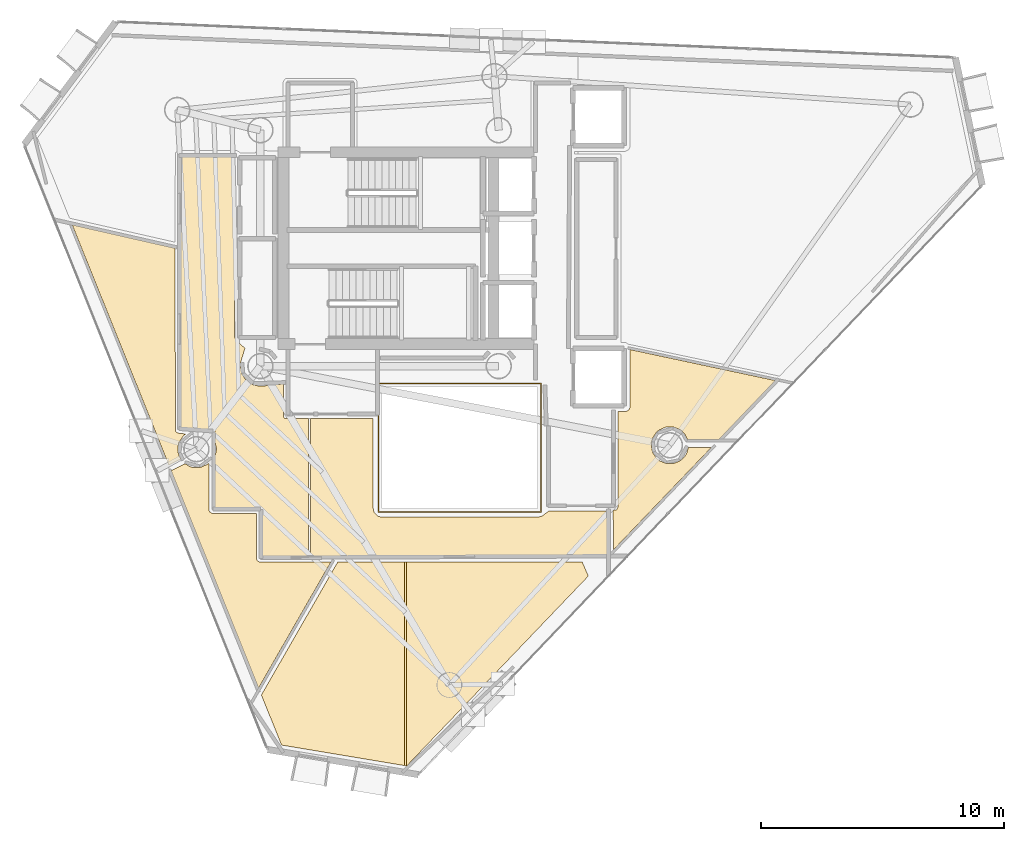
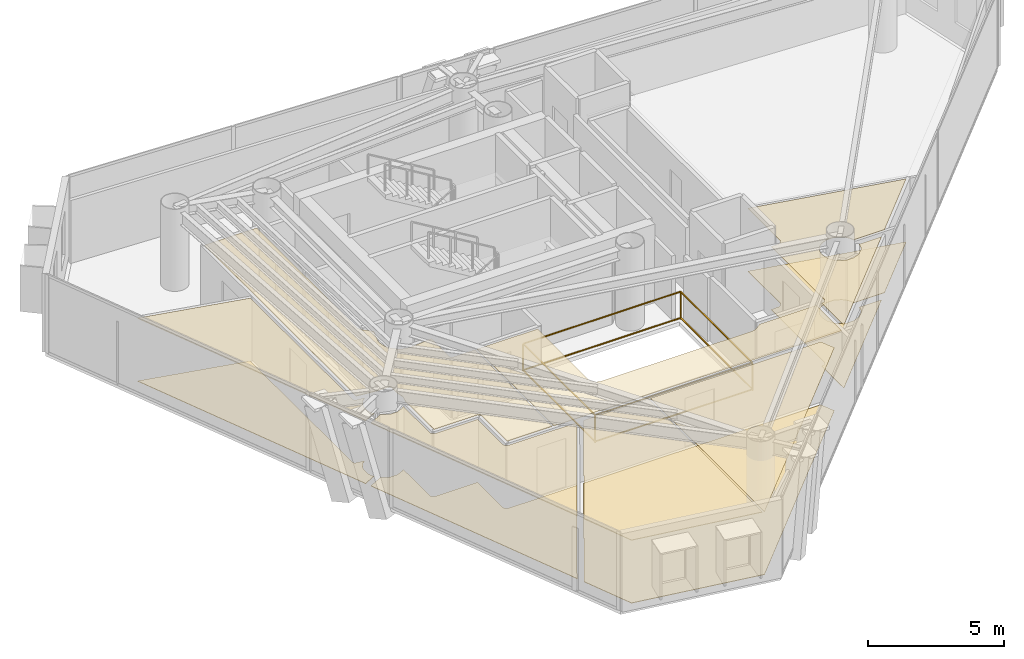
# One storey, part 18 of 21: 11 coverings, 1 railing.
"""IFC4 building model written with IfcOpenShell, lengths in metres."""

from ifc_helpers import new_model, si_unit, direction, frame, origin, origin_2d, place, context, subcontext, project, spatial, polyline, rectangle, outline, extrude, material, layer, layer_set, type_object, element, save


model = new_model("IFC4")

# Units and contexts
model_context = context("Model", 3, precision=1e-05, world=origin(), true_north=direction((0.0, 1.0)))
body_context = subcontext(model_context, "Body", "Model", "MODEL_VIEW")
ifc_project = project(units=[si_unit("LENGTHUNIT", "METRE"), si_unit("AREAUNIT", "SQUARE_METRE"), si_unit("VOLUMEUNIT", "CUBIC_METRE"), si_unit("PLANEANGLEUNIT", "RADIAN"), si_unit("MASSUNIT", "GRAM", prefix="KILO")], contexts=[model_context])

# Site, building, storey
site_placement = place(None, origin())
site = spatial("IfcSite", under=ifc_project, at=site_placement, CompositionType="ELEMENT")
building_placement = place(site_placement, origin())
building = spatial("IfcBuilding", under=site, at=building_placement, Name="Qianvela Tower", CompositionType="ELEMENT")
storey_placement = place(building_placement, frame((0.0, 0.0, 242.699951171875)))
storey = spatial("IfcBuildingStorey", under=building, at=storey_placement, Name="L62", CompositionType="ELEMENT", Elevation=242.699951171875)

# Coverings
ifc_material_1 = material(Name="Perforated Mineral Acoustic Ceiling Tile")
ifc_layer_1 = layer(ifc_material_1, 0.02490234375)
ifc_layer_set_1 = layer_set([ifc_layer_1], Name="Perforated Mineral Acoustic Ceiling Tile")
covering_type_1 = type_object("IfcCoveringType", Name="COV-CEIL-ACOUSTIC-25", PredefinedType="CEILING", material=ifc_layer_set_1)
covering_1_placement = place(storey_placement, frame((0.0, 0.0, 2.81494140625)))
element("IfcCovering", 1, at=covering_1_placement, inside=storey, type_object=covering_type_1, Name="L62 Acoustic Ceiling Bay 1 L62 Floor Corridor", PredefinedType="CEILING", context=body_context, shape_type="SweptSolid", body=[
    extrude(outline(polyline([(27.791015625, 24.010986328125), (27.789794921875, 24.003173828125), (27.775390625, 23.85791015625), (27.77490234375, 23.85009765625), (27.775390625, 23.84228515625), (27.776611328125, 23.83447265625), (27.833251953125, 23.54931640625), (27.835205078125, 23.541748046875), (27.837890625, 23.5341796875), (27.84130859375, 23.527099609375), (27.84521484375, 23.5205078125), (28.006591796875, 23.27880859375), (28.011474609375, 23.2724609375), (28.0166015625, 23.2666015625), (28.0224609375, 23.261474609375), (28.02880859375, 23.256591796875), (28.2705078125, 23.09521484375), (28.277099609375, 23.09130859375), (28.2841796875, 23.087890625), (28.291748046875, 23.085205078125), (28.29931640625, 23.083251953125), (28.58447265625, 23.026611328125), (28.59228515625, 23.025390625), (28.60009765625, 23.02490234375), (28.60791015625, 23.025390625), (29.55810546875, 23.118896484375), (29.55810546875, 21.780029296875), (29.558349609375, 21.772216796875), (29.5595703125, 21.764404296875), (29.561279296875, 21.7568359375), (29.564208984375, 21.74951171875), (29.5673828125, 21.7421875), (29.571533203125, 21.735595703125), (29.576171875, 21.729248046875), (29.581298828125, 21.723388671875), (29.587158203125, 21.71826171875), (29.593505859375, 21.71337890625), (29.600341796875, 21.70947265625), (29.607421875, 21.7060546875), (29.61474609375, 21.703369140625), (29.622314453125, 21.701416015625), (29.630126953125, 21.700439453125), (29.637939453125, 21.699951171875), (30.5888671875, 21.699951171875), (30.5888671875, 16.030029296875), (28.679931640625, 16.030029296875), (28.679931640625, 17.949951171875), (28.6796875, 17.957763671875), (28.678466796875, 17.965576171875), (28.676513671875, 17.97314453125), (28.673828125, 17.980712890625), (28.670654296875, 17.98779296875), (28.66650390625, 17.994384765625), (28.661865234375, 18.000732421875), (28.656494140625, 18.006591796875), (28.65087890625, 18.01171875), (28.644287109375, 18.0166015625), (28.6376953125, 18.0205078125), (28.630615234375, 18.02392578125), (28.623291015625, 18.026611328125), (28.615478515625, 18.028564453125), (28.60791015625, 18.029541015625), (28.60009765625, 18.030029296875), (26.72998046875, 18.030029296875), (26.72998046875, 20.123779296875), (26.795166015625, 20.419921875), (26.79638671875, 20.42822265625), (26.797119140625, 20.43701171875), (26.79638671875, 20.44580078125), (26.795166015625, 20.4541015625), (26.72998046875, 20.75), (26.72998046875, 21.14990234375), (26.7294921875, 21.15771484375), (26.728515625, 21.16552734375), (26.7265625, 21.173095703125), (26.723876953125, 21.1806640625), (26.720703125, 21.187744140625), (26.716552734375, 21.1943359375), (26.7119140625, 21.20068359375), (26.70654296875, 21.20654296875), (26.70068359375, 21.2119140625), (26.6943359375, 21.216552734375), (26.687744140625, 21.220703125), (26.6806640625, 21.223876953125), (26.673095703125, 21.2265625), (26.66552734375, 21.228515625), (26.65771484375, 21.2294921875), (26.64990234375, 21.22998046875), (26.18017578125, 21.22998046875), (25.330078125, 21.32470703125), (25.330078125, 32.469970703125), (27.5400390625, 32.469970703125), (27.5400390625, 25.066650390625), (27.540283203125, 25.05908203125), (27.54150390625, 25.051513671875), (27.543212890625, 25.044189453125), (27.545654296875, 25.037109375), (27.548583984375, 25.0302734375), (27.604736328125, 24.919921875), (27.6083984375, 24.91357421875), (27.612548828125, 24.90771484375), (27.6171875, 24.902099609375), (27.622314453125, 24.89697265625), (27.965087890625, 24.58642578125), (27.792724609375, 24.0185546875), (27.791015625, 24.010986328125)])), origin(), (0.0, 0.0, 1.0), 0.025146484375),
])
covering_2_placement = place(storey_placement, frame((0.0, 0.0, 2.81494140625)))
element("IfcCovering", 2, at=covering_2_placement, inside=storey, type_object=covering_type_1, Name="L62 Acoustic Ceiling Bay 2 L62 Floor Corridor", PredefinedType="CEILING", context=body_context, shape_type="SweptSolid", body=[
    extrude(outline(polyline([(33.239990234375, 21.699951171875), (33.239990234375, 18.0), (33.240478515625, 17.990234375), (33.242431640625, 17.980712890625), (33.275390625, 17.8486328125), (33.277587890625, 17.841796875), (33.2802734375, 17.8349609375), (33.283447265625, 17.82861328125), (33.287353515625, 17.822509765625), (33.29150390625, 17.81689453125), (33.29638671875, 17.811279296875), (33.411376953125, 17.696533203125), (33.41796875, 17.690673828125), (33.4248046875, 17.685791015625), (33.432373046875, 17.681396484375), (33.440185546875, 17.677978515625), (33.448486328125, 17.675537109375), (33.58056640625, 17.642333984375), (33.5869140625, 17.64111328125), (33.593505859375, 17.640380859375), (33.60009765625, 17.639892578125), (40.0, 17.639892578125), (40.006591796875, 17.640380859375), (40.012939453125, 17.64111328125), (40.019287109375, 17.642333984375), (40.1513671875, 17.675537109375), (40.15869140625, 17.677734375), (40.166015625, 17.6806640625), (40.172607421875, 17.68408203125), (40.17919921875, 17.6884765625), (40.459228515625, 17.89306640625), (42.8701171875, 17.89990234375), (42.8701171875, 16.043212890625), (42.857421875, 16.030029296875), (30.6689453125, 16.030029296875), (30.6689453125, 21.699951171875), (33.239990234375, 21.699951171875)])), origin(), (0.0, 0.0, 1.0), 0.025146484375),
])
covering_3_placement = place(storey_placement, frame((0.0, 0.0, 2.81494140625)))
element("IfcCovering", 3, at=covering_3_placement, inside=storey, type_object=covering_type_1, Name="L62 Acoustic Ceiling Tutorial Breakout Seminar L62-01", PredefinedType="CEILING", context=body_context, shape_type="SweptSolid", body=[
    extrude(outline(polyline([(25.202880859375, 21.103515625), (25.209716796875, 21.10009765625), (25.217041015625, 21.097412109375), (25.224609375, 21.09521484375), (25.232421875, 21.093994140625), (25.531494140625, 21.060791015625), (25.43701171875, 20.983154296875), (25.43115234375, 20.977783203125), (25.42578125, 20.97216796875), (25.421142578125, 20.9658203125), (25.272705078125, 20.74365234375), (25.2685546875, 20.73681640625), (25.26513671875, 20.729736328125), (25.2626953125, 20.722412109375), (25.2236328125, 20.593994140625), (25.2216796875, 20.586181640625), (25.220458984375, 20.57861328125), (25.22021484375, 20.570556640625), (25.22021484375, 20.303466796875), (25.220458984375, 20.29541015625), (25.2216796875, 20.287841796875), (25.2236328125, 20.280029296875), (25.2626953125, 20.151611328125), (25.264892578125, 20.14501953125), (25.267822265625, 20.138427734375), (25.271484375, 20.13232421875), (25.3349609375, 20.031005859375), (24.8388671875, 19.781982421875), (20.86474609375, 29.658203125), (25.090087890625, 28.697265625), (25.10791015625, 21.202392578125), (25.1083984375, 21.19482421875), (25.109375, 21.18701171875), (25.111328125, 21.1796875), (25.114013671875, 21.17236328125), (25.1171875, 21.165283203125), (25.12109375, 21.15869140625), (25.125732421875, 21.15234375), (25.130859375, 21.146484375), (25.13671875, 21.141357421875), (25.142822265625, 21.13671875), (25.1494140625, 21.132568359375), (25.202880859375, 21.103515625)])), origin(), (0.0, 0.0, 1.0), 0.025146484375),
])
covering_4_placement = place(storey_placement, frame((0.0, 0.0, 2.81494140625)))
element("IfcCovering", 4, at=covering_4_placement, inside=storey, type_object=covering_type_1, Name="L62 Acoustic Ceiling Project Huddle Conference L62-02", PredefinedType="CEILING", context=body_context, shape_type="SweptSolid", body=[
    extrude(outline(polyline([(26.49072265625, 19.877197265625), (26.49609375, 17.919189453125), (26.49658203125, 17.911376953125), (26.497802734375, 17.903564453125), (26.49951171875, 17.89599609375), (26.502197265625, 17.888671875), (26.505615234375, 17.881591796875), (26.509521484375, 17.875), (26.514404296875, 17.86865234375), (26.51953125, 17.86279296875), (26.525390625, 17.857421875), (26.531494140625, 17.852783203125), (26.605712890625, 17.803466796875), (26.6123046875, 17.79931640625), (26.619384765625, 17.796142578125), (26.626708984375, 17.79345703125), (26.634521484375, 17.79150390625), (26.64208984375, 17.790283203125), (26.64990234375, 17.7900390625), (28.43994140625, 17.7900390625), (28.43994140625, 15.949951171875), (28.4404296875, 15.942138671875), (28.44140625, 15.934326171875), (28.443359375, 15.9267578125), (28.446044921875, 15.91943359375), (28.469482421875, 15.86279296875), (28.472900390625, 15.855712890625), (28.476806640625, 15.84912109375), (28.481689453125, 15.8427734375), (28.48681640625, 15.8369140625), (28.49267578125, 15.83154296875), (28.4990234375, 15.826904296875), (28.505615234375, 15.822998046875), (28.5126953125, 15.819580078125), (28.5693359375, 15.796142578125), (28.576904296875, 15.79345703125), (28.58447265625, 15.79150390625), (28.59228515625, 15.790283203125), (28.60009765625, 15.7900390625), (31.495361328125, 15.7900390625), (28.52587890625, 10.61962890625), (24.930419921875, 19.5546875), (25.50390625, 19.8427734375), (25.666259765625, 19.737060546875), (25.672607421875, 19.7333984375), (25.679443359375, 19.72998046875), (25.6865234375, 19.7275390625), (25.815185546875, 19.688720703125), (25.82275390625, 19.686767578125), (25.83056640625, 19.685546875), (25.83837890625, 19.685302734375), (26.105712890625, 19.685302734375), (26.113525390625, 19.685546875), (26.12109375, 19.686767578125), (26.12890625, 19.688720703125), (26.13623046875, 19.69140625), (26.38330078125, 19.79345703125), (26.390380859375, 19.796875), (26.39697265625, 19.80078125), (26.4033203125, 19.8056640625), (26.49072265625, 19.877197265625)])), origin(), (0.0, 0.0, 1.0), 0.025146484375),
])
covering_5_placement = place(storey_placement, frame((0.0, 0.0, 2.81494140625)))
element("IfcCovering", 5, at=covering_5_placement, inside=storey, type_object=covering_type_1, Name="L62 Acoustic Ceiling Bay 1 Media Practice Cinema L62-03", PredefinedType="CEILING", context=body_context, shape_type="SweptSolid", body=[
    extrude(outline(polyline([(29.470458984375, 8.272216796875), (28.6416015625, 10.33154296875), (31.776611328125, 15.7900390625), (34.53369140625, 15.7900390625), (34.53369140625, 7.427978515625), (29.470458984375, 8.272216796875)])), origin(), (0.0, 0.0, 1.0), 0.025146484375),
])
covering_6_placement = place(storey_placement, frame((0.0, 0.0, 2.81494140625)))
element("IfcCovering", 6, at=covering_6_placement, inside=storey, type_object=covering_type_1, Name="L62 Acoustic Ceiling Bay 2 Media Practice Cinema L62-03", PredefinedType="CEILING", context=body_context, shape_type="SweptSolid", body=[
    extrude(outline(polyline([(34.6162109375, 7.414306640625), (34.61376953125, 7.414794921875), (34.61376953125, 15.7900390625), (41.834716796875, 15.7900390625), (42.083740234375, 15.220947265625), (34.6162109375, 7.414306640625)])), origin(), (0.0, 0.0, 1.0), 0.025146484375),
])
covering_7_placement = place(storey_placement, frame((0.0, 0.0, 2.81494140625)))
element("IfcCovering", 7, at=covering_7_placement, inside=storey, type_object=covering_type_1, Name="L62 Acoustic Ceiling Student Fitness Gym L62-04", PredefinedType="CEILING", context=body_context, shape_type="SweptSolid", body=[
    extrude(outline(polyline([(43.298583984375, 18.038818359375), (43.302001953125, 18.045166015625), (43.304931640625, 18.0517578125), (43.30712890625, 18.05859375), (43.30859375, 18.065673828125), (43.309814453125, 18.07275390625), (43.31005859375, 18.080078125), (43.309326171875, 21.981201171875), (43.621826171875, 21.986083984375), (43.62939453125, 21.986572265625), (43.63720703125, 21.98779296875), (43.64453125, 21.98974609375), (43.651611328125, 21.9921875), (43.658447265625, 21.99560546875), (43.6650390625, 21.99951171875), (43.732666015625, 22.044677734375), (43.739013671875, 22.04931640625), (43.744873046875, 22.0546875), (43.75, 22.060302734375), (43.754638671875, 22.066650390625), (43.7587890625, 22.073486328125), (43.76220703125, 22.08056640625), (43.793212890625, 22.15576171875), (43.7958984375, 22.1630859375), (43.7978515625, 22.170654296875), (43.798828125, 22.178466796875), (43.79931640625, 22.186279296875), (43.79638671875, 24.532958984375), (49.77197265625, 23.2587890625), (47.458251953125, 20.83984375), (46.153076171875, 20.836669921875), (46.0791015625, 21.010009765625), (46.07568359375, 21.016845703125), (46.072021484375, 21.023193359375), (46.0673828125, 21.029296875), (45.982177734375, 21.133056640625), (45.976806640625, 21.138916015625), (45.97119140625, 21.144287109375), (45.8671875, 21.2294921875), (45.861083984375, 21.234130859375), (45.854248046875, 21.238037109375), (45.84716796875, 21.241455078125), (45.600341796875, 21.34375), (45.593017578125, 21.346435546875), (45.585205078125, 21.348388671875), (45.577392578125, 21.349609375), (45.569580078125, 21.349853515625), (45.302490234375, 21.349853515625), (45.29443359375, 21.349609375), (45.286865234375, 21.348388671875), (45.279052734375, 21.346435546875), (45.271728515625, 21.34375), (45.02490234375, 21.241455078125), (45.017578125, 21.238037109375), (45.010986328125, 21.234130859375), (45.004638671875, 21.2294921875), (44.90087890625, 21.144287109375), (44.89501953125, 21.138916015625), (44.889892578125, 21.133056640625), (44.885009765625, 21.126708984375), (44.736572265625, 20.904541015625), (44.732666015625, 20.897705078125), (44.729248046875, 20.890869140625), (44.7265625, 20.88330078125), (44.6875, 20.7548828125), (44.685791015625, 20.747314453125), (44.6845703125, 20.739501953125), (44.67138671875, 20.605712890625), (44.6708984375, 20.597900390625), (44.67138671875, 20.590087890625), (44.672607421875, 20.58251953125), (44.724609375, 20.3203125), (44.7265625, 20.3125), (44.729248046875, 20.30517578125), (44.732666015625, 20.298095703125), (44.736572265625, 20.29150390625), (44.885009765625, 20.069091796875), (44.889892578125, 20.06298828125), (44.89501953125, 20.05712890625), (44.90087890625, 20.0517578125), (45.004638671875, 19.966552734375), (45.010986328125, 19.9619140625), (45.017578125, 19.9580078125), (45.02490234375, 19.95458984375), (45.271728515625, 19.852294921875), (45.279052734375, 19.849609375), (45.286865234375, 19.84765625), (45.29443359375, 19.846435546875), (45.302490234375, 19.84619140625), (45.569580078125, 19.84619140625), (45.577392578125, 19.846435546875), (45.585205078125, 19.84765625), (45.593017578125, 19.849609375), (45.600341796875, 19.852294921875), (45.84716796875, 19.95458984375), (45.854248046875, 19.9580078125), (45.861083984375, 19.9619140625), (45.8671875, 19.966552734375), (45.873046875, 19.971923828125), (46.06201171875, 20.160888671875), (46.0673828125, 20.166748046875), (46.072021484375, 20.173095703125), (46.076171875, 20.1796875), (46.139404296875, 20.298095703125), (46.142578125, 20.304931640625), (46.145263671875, 20.312255859375), (46.147216796875, 20.319580078125), (46.18408203125, 20.49658203125), (47.132080078125, 20.4990234375), (43.109619140625, 16.293701171875), (43.107421875, 17.924560546875), (43.1923828125, 17.9296875), (43.2001953125, 17.930419921875), (43.207763671875, 17.931884765625), (43.215087890625, 17.934326171875), (43.222412109375, 17.937255859375), (43.229248046875, 17.94091796875), (43.235595703125, 17.9453125), (43.24169921875, 17.9501953125), (43.2470703125, 17.955810546875), (43.251953125, 17.9619140625), (43.25634765625, 17.96826171875), (43.298583984375, 18.038818359375)])), origin(), (0.0, 0.0, 1.0), 0.025146484375),
])
ifc_material_2 = material(Name="Engineered Acoustic Oak Timber Flooring", Category="wood")
ifc_layer_2 = layer(ifc_material_2, 0.02001953125)
ifc_layer_set_2 = layer_set([ifc_layer_2], Name="Engineered Acoustic Oak Timber Flooring")
covering_type_2 = type_object("IfcCoveringType", Name="COV-FLOOR-OAK-20", PredefinedType="FLOORING", material=ifc_layer_set_2)
covering_8_placement = place(storey_placement, origin())
element("IfcCovering", 8, at=covering_8_placement, inside=storey, type_object=covering_type_2, Name="L62 Finish Flooring Tutorial Breakout Seminar L62-01", PredefinedType="FLOORING", context=body_context, shape_type="SweptSolid", body=[
    extrude(outline(polyline([(25.202880859375, 21.103515625), (25.209716796875, 21.10009765625), (25.217041015625, 21.097412109375), (25.224609375, 21.09521484375), (25.232421875, 21.093994140625), (25.531494140625, 21.060791015625), (25.43701171875, 20.983154296875), (25.43115234375, 20.977783203125), (25.42578125, 20.97216796875), (25.421142578125, 20.9658203125), (25.272705078125, 20.74365234375), (25.2685546875, 20.73681640625), (25.26513671875, 20.729736328125), (25.2626953125, 20.722412109375), (25.2236328125, 20.593994140625), (25.2216796875, 20.586181640625), (25.220458984375, 20.57861328125), (25.22021484375, 20.570556640625), (25.22021484375, 20.303466796875), (25.220458984375, 20.29541015625), (25.2216796875, 20.287841796875), (25.2236328125, 20.280029296875), (25.2626953125, 20.151611328125), (25.264892578125, 20.14501953125), (25.267822265625, 20.138427734375), (25.271484375, 20.13232421875), (25.3349609375, 20.031005859375), (24.8388671875, 19.781982421875), (20.86474609375, 29.658203125), (25.090087890625, 28.697265625), (25.10791015625, 21.202392578125), (25.1083984375, 21.19482421875), (25.109375, 21.18701171875), (25.111328125, 21.1796875), (25.114013671875, 21.17236328125), (25.1171875, 21.165283203125), (25.12109375, 21.15869140625), (25.125732421875, 21.15234375), (25.130859375, 21.146484375), (25.13671875, 21.141357421875), (25.142822265625, 21.13671875), (25.1494140625, 21.132568359375), (25.202880859375, 21.103515625)])), origin(), (0.0, 0.0, 1.0), 0.02001953125),
])
covering_9_placement = place(storey_placement, origin())
element("IfcCovering", 9, at=covering_9_placement, inside=storey, type_object=covering_type_2, Name="L62 Finish Flooring Project Huddle Conference L62-02", PredefinedType="FLOORING", context=body_context, shape_type="SweptSolid", body=[
    extrude(outline(polyline([(26.49072265625, 19.877197265625), (26.49609375, 17.919189453125), (26.49658203125, 17.911376953125), (26.497802734375, 17.903564453125), (26.49951171875, 17.89599609375), (26.502197265625, 17.888671875), (26.505615234375, 17.881591796875), (26.509521484375, 17.875), (26.514404296875, 17.86865234375), (26.51953125, 17.86279296875), (26.525390625, 17.857421875), (26.531494140625, 17.852783203125), (26.605712890625, 17.803466796875), (26.6123046875, 17.79931640625), (26.619384765625, 17.796142578125), (26.626708984375, 17.79345703125), (26.634521484375, 17.79150390625), (26.64208984375, 17.790283203125), (26.64990234375, 17.7900390625), (28.43994140625, 17.7900390625), (28.43994140625, 15.949951171875), (28.4404296875, 15.942138671875), (28.44140625, 15.934326171875), (28.443359375, 15.9267578125), (28.446044921875, 15.91943359375), (28.469482421875, 15.86279296875), (28.472900390625, 15.855712890625), (28.476806640625, 15.84912109375), (28.481689453125, 15.8427734375), (28.48681640625, 15.8369140625), (28.49267578125, 15.83154296875), (28.4990234375, 15.826904296875), (28.505615234375, 15.822998046875), (28.5126953125, 15.819580078125), (28.5693359375, 15.796142578125), (28.576904296875, 15.79345703125), (28.58447265625, 15.79150390625), (28.59228515625, 15.790283203125), (28.60009765625, 15.7900390625), (31.495361328125, 15.7900390625), (28.52587890625, 10.61962890625), (24.930419921875, 19.5546875), (25.50390625, 19.8427734375), (25.666259765625, 19.737060546875), (25.672607421875, 19.7333984375), (25.679443359375, 19.72998046875), (25.6865234375, 19.7275390625), (25.815185546875, 19.688720703125), (25.82275390625, 19.686767578125), (25.83056640625, 19.685546875), (25.83837890625, 19.685302734375), (26.105712890625, 19.685302734375), (26.113525390625, 19.685546875), (26.12109375, 19.686767578125), (26.12890625, 19.688720703125), (26.13623046875, 19.69140625), (26.38330078125, 19.79345703125), (26.390380859375, 19.796875), (26.39697265625, 19.80078125), (26.4033203125, 19.8056640625), (26.49072265625, 19.877197265625)])), origin(), (0.0, 0.0, 1.0), 0.02001953125),
])
covering_10_placement = place(storey_placement, origin())
element("IfcCovering", 10, at=covering_10_placement, inside=storey, type_object=covering_type_2, Name="L62 Finish Flooring Media Practice Cinema L62-03", PredefinedType="FLOORING", context=body_context, shape_type="SweptSolid", body=[
    extrude(outline(polyline([(42.083740234375, 15.220947265625), (34.6162109375, 7.414306640625), (29.470458984375, 8.272216796875), (28.6416015625, 10.33154296875), (31.776611328125, 15.7900390625), (41.834716796875, 15.7900390625), (42.083740234375, 15.220947265625)])), origin(), (0.0, 0.0, 1.0), 0.02001953125),
])
covering_11_placement = place(storey_placement, origin())
element("IfcCovering", 11, at=covering_11_placement, inside=storey, type_object=covering_type_2, Name="L62 Finish Flooring Student Fitness Gym L62-04", PredefinedType="FLOORING", context=body_context, shape_type="SweptSolid", body=[
    extrude(outline(polyline([(43.298583984375, 18.038818359375), (43.302001953125, 18.045166015625), (43.304931640625, 18.0517578125), (43.30712890625, 18.05859375), (43.30859375, 18.065673828125), (43.309814453125, 18.07275390625), (43.31005859375, 18.080078125), (43.309326171875, 21.981201171875), (43.621826171875, 21.986083984375), (43.62939453125, 21.986572265625), (43.63720703125, 21.98779296875), (43.64453125, 21.98974609375), (43.651611328125, 21.9921875), (43.658447265625, 21.99560546875), (43.6650390625, 21.99951171875), (43.732666015625, 22.044677734375), (43.739013671875, 22.04931640625), (43.744873046875, 22.0546875), (43.75, 22.060302734375), (43.754638671875, 22.066650390625), (43.7587890625, 22.073486328125), (43.76220703125, 22.08056640625), (43.793212890625, 22.15576171875), (43.7958984375, 22.1630859375), (43.7978515625, 22.170654296875), (43.798828125, 22.178466796875), (43.79931640625, 22.186279296875), (43.79638671875, 24.532958984375), (49.77197265625, 23.2587890625), (47.458251953125, 20.83984375), (46.153076171875, 20.836669921875), (46.0791015625, 21.010009765625), (46.07568359375, 21.016845703125), (46.072021484375, 21.023193359375), (46.0673828125, 21.029296875), (45.982177734375, 21.133056640625), (45.976806640625, 21.138916015625), (45.97119140625, 21.144287109375), (45.8671875, 21.2294921875), (45.861083984375, 21.234130859375), (45.854248046875, 21.238037109375), (45.84716796875, 21.241455078125), (45.600341796875, 21.34375), (45.593017578125, 21.346435546875), (45.585205078125, 21.348388671875), (45.577392578125, 21.349609375), (45.569580078125, 21.349853515625), (45.302490234375, 21.349853515625), (45.29443359375, 21.349609375), (45.286865234375, 21.348388671875), (45.279052734375, 21.346435546875), (45.271728515625, 21.34375), (45.02490234375, 21.241455078125), (45.017578125, 21.238037109375), (45.010986328125, 21.234130859375), (45.004638671875, 21.2294921875), (44.90087890625, 21.144287109375), (44.89501953125, 21.138916015625), (44.889892578125, 21.133056640625), (44.885009765625, 21.126708984375), (44.736572265625, 20.904541015625), (44.732666015625, 20.897705078125), (44.729248046875, 20.890869140625), (44.7265625, 20.88330078125), (44.6875, 20.7548828125), (44.685791015625, 20.747314453125), (44.6845703125, 20.739501953125), (44.67138671875, 20.605712890625), (44.6708984375, 20.597900390625), (44.67138671875, 20.590087890625), (44.672607421875, 20.58251953125), (44.724609375, 20.3203125), (44.7265625, 20.3125), (44.729248046875, 20.30517578125), (44.732666015625, 20.298095703125), (44.736572265625, 20.29150390625), (44.885009765625, 20.069091796875), (44.889892578125, 20.06298828125), (44.89501953125, 20.05712890625), (44.90087890625, 20.0517578125), (45.004638671875, 19.966552734375), (45.010986328125, 19.9619140625), (45.017578125, 19.9580078125), (45.02490234375, 19.95458984375), (45.271728515625, 19.852294921875), (45.279052734375, 19.849609375), (45.286865234375, 19.84765625), (45.29443359375, 19.846435546875), (45.302490234375, 19.84619140625), (45.569580078125, 19.84619140625), (45.577392578125, 19.846435546875), (45.585205078125, 19.84765625), (45.593017578125, 19.849609375), (45.600341796875, 19.852294921875), (45.84716796875, 19.95458984375), (45.854248046875, 19.9580078125), (45.861083984375, 19.9619140625), (45.8671875, 19.966552734375), (45.873046875, 19.971923828125), (46.06201171875, 20.160888671875), (46.0673828125, 20.166748046875), (46.072021484375, 20.173095703125), (46.076171875, 20.1796875), (46.139404296875, 20.298095703125), (46.142578125, 20.304931640625), (46.145263671875, 20.312255859375), (46.147216796875, 20.319580078125), (46.18408203125, 20.49658203125), (47.132080078125, 20.4990234375), (43.109619140625, 16.293701171875), (43.107421875, 17.924560546875), (43.1923828125, 17.9296875), (43.2001953125, 17.930419921875), (43.207763671875, 17.931884765625), (43.215087890625, 17.934326171875), (43.222412109375, 17.937255859375), (43.229248046875, 17.94091796875), (43.235595703125, 17.9453125), (43.24169921875, 17.9501953125), (43.2470703125, 17.955810546875), (43.251953125, 17.9619140625), (43.25634765625, 17.96826171875), (43.298583984375, 18.038818359375)])), origin(), (0.0, 0.0, 1.0), 0.02001953125),
])

# Railing
ifc_material_3 = material(Name="Laminated Safety Glass and Stainless Steel 316", Category="steel")
railing_type = type_object("IfcRailingType", Name="RL-ATRIUM-GUARD-1250", PredefinedType="GUARDRAIL", material=ifc_material_3)
railing_placement = place(storey_placement, frame((33.4599609375, 17.860107421875, 0.0)))
element("IfcRailing", 12, at=railing_placement, inside=storey, type_object=railing_type, Name="L62 Atrium Edge Guardrail 1", PredefinedType="GUARDRAIL", context=body_context, shape_type="SweptSolid", body=[
    extrude(rectangle(XDim=0.050048828125, YDim=0.0400390625, at=origin_2d()), frame((0.0, 0.0, 1.22998046875), z_axis=(0.0, 1.0, 0.0), x_axis=(-1.0, 0.0, 0.0)), (0.0, 0.0, 1.0), 5.27978515625),
    extrude(rectangle(XDim=0.050048828125, YDim=0.0400390625, at=origin_2d()), frame((0.0, 0.0, 0.050048828125), z_axis=(0.0, 1.0, 0.0), x_axis=(-1.0, 0.0, 0.0)), (0.0, 0.0, 1.0), 5.27978515625),
    extrude(rectangle(XDim=0.050048828125, YDim=0.0400390625, at=origin_2d()), frame((0.0, 5.27978515625, 1.22998046875), z_axis=(1.0, 0.0, 0.0), x_axis=(0.0, 1.0, 0.0)), (0.0, 0.0, 1.0), 6.679931640625),
    extrude(rectangle(XDim=0.050048828125, YDim=0.0400390625, at=origin_2d()), frame((0.0, 5.27978515625, 0.050048828125), z_axis=(1.0, 0.0, 0.0), x_axis=(0.0, 1.0, 0.0)), (0.0, 0.0, 1.0), 6.679931640625),
    extrude(rectangle(XDim=0.050048828125, YDim=0.0400390625, at=origin_2d()), frame((6.679931640625, 5.27978515625, 1.22998046875), z_axis=(0.0, -1.0, 0.0), x_axis=(1.0, 0.0, 0.0)), (0.0, 0.0, 1.0), 5.27978515625),
    extrude(rectangle(XDim=0.050048828125, YDim=0.0400390625, at=origin_2d()), frame((6.679931640625, 5.27978515625, 0.050048828125), z_axis=(0.0, -1.0, 0.0), x_axis=(1.0, 0.0, 0.0)), (0.0, 0.0, 1.0), 5.27978515625),
    extrude(rectangle(XDim=0.050048828125, YDim=0.0400390625, at=origin_2d()), frame((6.679931640625, 0.0, 1.22998046875), z_axis=(-1.0, 0.0, 0.0), x_axis=(0.0, -1.0, 0.0)), (0.0, 0.0, 1.0), 6.679931640625),
    extrude(rectangle(XDim=0.050048828125, YDim=0.0400390625, at=origin_2d()), frame((6.679931640625, 0.0, 0.050048828125), z_axis=(-1.0, 0.0, 0.0), x_axis=(0.0, -1.0, 0.0)), (0.0, 0.0, 1.0), 6.679931640625),
    extrude(rectangle(XDim=0.050048828125, YDim=0.050048828125, at=origin_2d()), origin(), (0.0, 0.0, 1.0), 1.2099609375),
    extrude(rectangle(XDim=0.050048828125, YDim=0.050048828125, at=origin_2d()), frame((0.0, 5.27978515625, 0.0)), (0.0, 0.0, 1.0), 1.2099609375),
    extrude(rectangle(XDim=0.050048828125, YDim=0.050048828125, at=origin_2d()), frame((6.679931640625, 5.27978515625, 0.0)), (0.0, 0.0, 1.0), 1.2099609375),
    extrude(rectangle(XDim=0.050048828125, YDim=0.050048828125, at=origin_2d()), frame((6.679931640625, 0.0, 0.0)), (0.0, 0.0, 1.0), 1.2099609375),
])

save(model, "model.ifc")
